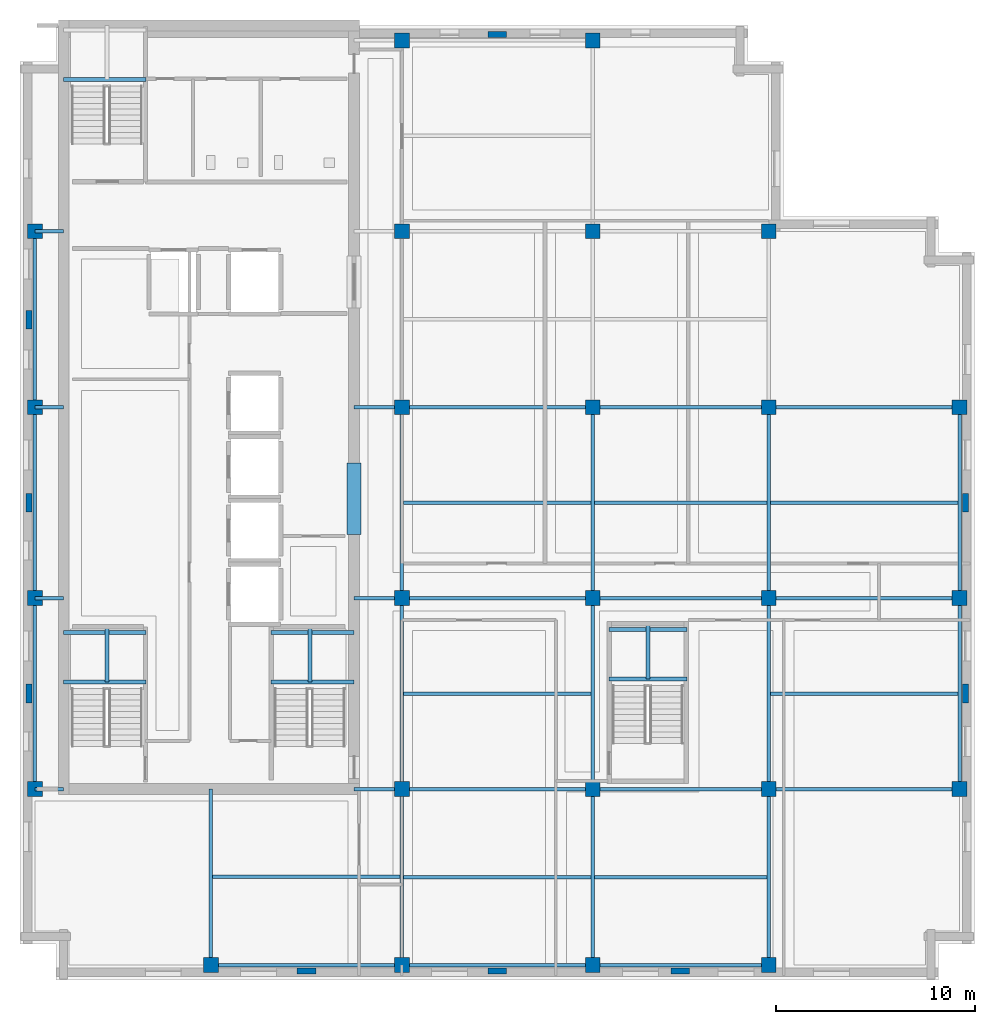
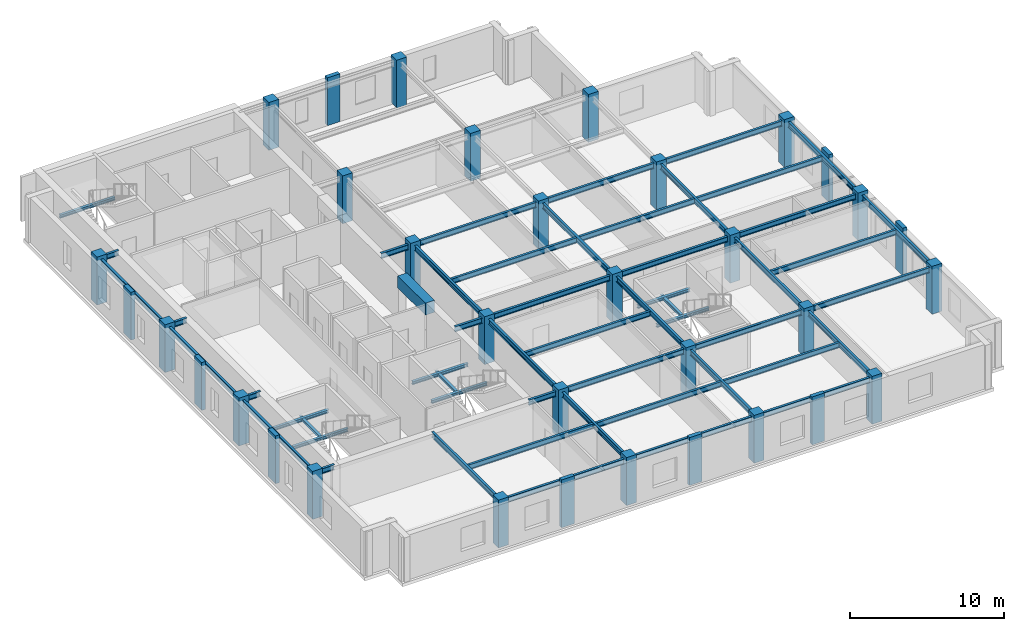
# One storey, part 1 of 10: 53 beams, 34 columns.
"""IFC4 building model written with IfcOpenShell, lengths in metres."""

from ifc_helpers import new_model, si_unit, direction, frame, origin, origin_2d, place, context, subcontext, project, spatial, rectangle, i_section, extrude, material, material_profile, profile_set, type_object, element, save


model = new_model("IFC4")

# Units and contexts
model_context = context("Model", 3, precision=1e-05, world=origin(), true_north=direction((0.0, 1.0)))
body_context = subcontext(model_context, "Body", "Model", "MODEL_VIEW")
ifc_project = project(units=[si_unit("LENGTHUNIT", "METRE"), si_unit("AREAUNIT", "SQUARE_METRE"), si_unit("VOLUMEUNIT", "CUBIC_METRE"), si_unit("PLANEANGLEUNIT", "RADIAN"), si_unit("MASSUNIT", "GRAM", prefix="KILO")], contexts=[model_context])

# Site, building, storey
site_placement = place(None, origin())
site = spatial("IfcSite", under=ifc_project, at=site_placement, CompositionType="ELEMENT")
building_placement = place(site_placement, origin())
building = spatial("IfcBuilding", under=site, at=building_placement, Name="Norrvale University Quadrangle", CompositionType="ELEMENT")
storey_placement = place(building_placement, frame((0.0, 0.0, 269.60009765625)))
storey = spatial("IfcBuildingStorey", under=building, at=storey_placement, Name="L68", CompositionType="ELEMENT", Elevation=269.60009765625)

# Columns
ifc_material_1 = material(Name="Red Manganese Brick Concrete C60/75", Category="concrete")
ifc_material_profile_1 = material_profile(ifc_material_1, rectangle(XDim=0.949951171875, YDim=0.300048828125, at=origin_2d()), Name="Red Manganese Brick Concrete C60/75")
ifc_profile_set_1 = profile_set([ifc_material_profile_1], Name="Red Manganese Brick Concrete C60/75")
column_type_1 = type_object("IfcColumnType", Name="Column Brick Pier 950x300", PredefinedType="PILASTER", material=ifc_profile_set_1)
for number, where, z_axis, x_axis, name in (
    (1, (0.449951171875, 14.39990234375, 0.0), (0.0, 0.0, 1.0), (0.0, 1.0, 0.0), "Exterior Brick Facade Pilaster L68-01"),
    (2, (0.449951171875, 24.0, 0.0), (0.0, 0.0, 1.0), (0.0, 1.0, 0.0), "Exterior Brick Facade Pilaster L68-02"),
    (3, (0.449951171875, 33.199951171875, 0.0), (0.0, 0.0, 1.0), (0.0, 1.0, 0.0), "Exterior Brick Facade Pilaster L68-03"),
    (4, (14.39990234375, 0.449951171875, 0.0), (0.0, 0.0, 1.0), (1.0, 0.0, 0.0), "Exterior Brick Facade Pilaster L68-04"),
    (5, (24.0, 0.449951171875, 0.0), (0.0, 0.0, 1.0), (1.0, 0.0, 0.0), "Exterior Brick Facade Pilaster L68-05"),
    (6, (33.199951171875, 0.449951171875, 0.0), (0.0, 0.0, 1.0), (1.0, 0.0, 0.0), "Exterior Brick Facade Pilaster L68-06"),
    (7, (47.550048828125, 14.39990234375, 0.0), (0.0, 0.0, 1.0), (0.0, 1.0, 0.0), "Exterior Brick Facade Pilaster L68-07"),
    (8, (47.550048828125, 24.0, 0.0), (0.0, 0.0, 1.0), (0.0, 1.0, 0.0), "Exterior Brick Facade Pilaster L68-08"),
    (9, (24.0, 47.550048828125, 0.0), (0.0, 0.0, 1.0), (1.0, 0.0, 0.0), "Exterior Brick Facade Pilaster L68-09"),
):
    element("IfcColumn", number, at=place(storey_placement, frame(where, z_axis=z_axis, x_axis=x_axis)), inside=storey, type_object=column_type_1, Name=name, PredefinedType="PILASTER", context=body_context, shape_type="SweptSolid", body=[
        extrude(rectangle(XDim=0.949951171875, YDim=0.300048828125, at=origin_2d()), origin(), (0.0, 0.0, 1.0), 3.7998046875),
    ])
ifc_material_2 = material(Name="Concrete C60/75", Category="concrete")
ifc_material_profile_2 = material_profile(ifc_material_2, rectangle(XDim=0.75, YDim=0.75, at=origin_2d()), Name="Concrete C60/75")
ifc_profile_set_2 = profile_set([ifc_material_profile_2], Name="Concrete C60/75")
column_type_2 = type_object("IfcColumnType", Name="Column Tower Z4 750x750", PredefinedType="COLUMN", material=ifc_profile_set_2)
for number, where, z_axis, x_axis, name in (
    (10, (0.75, 9.60009765625, 0.0), (0.0, 0.0, 1.0), (1.0, 0.0, 0.0), "Tower Column L68-T01"),
    (11, (0.75, 19.199951171875, 0.0), (0.0, 0.0, 1.0), (1.0, 0.0, 0.0), "Tower Column L68-T02"),
    (12, (0.75, 28.800048828125, 0.0), (0.0, 0.0, 1.0), (1.0, 0.0, 0.0), "Tower Column L68-T03"),
    (13, (0.75, 37.64990234375, 0.0), (0.0, 0.0, 1.0), (1.0, 0.0, 0.0), "Tower Column L68-T04"),
    (14, (9.60009765625, 0.75, 0.0), (0.0, 0.0, 1.0), (1.0, 0.0, 0.0), "Tower Column L68-T05"),
    (15, (19.199951171875, 0.75, 0.0), (0.0, 0.0, 1.0), (1.0, 0.0, 0.0), "Tower Column L68-T06"),
    (16, (19.199951171875, 9.60009765625, 0.0), (0.0, 0.0, 1.0), (1.0, 0.0, 0.0), "Tower Column L68-T07"),
    (17, (19.199951171875, 19.199951171875, 0.0), (0.0, 0.0, 1.0), (1.0, 0.0, 0.0), "Tower Column L68-T08"),
    (18, (19.199951171875, 28.800048828125, 0.0), (0.0, 0.0, 1.0), (1.0, 0.0, 0.0), "Tower Column L68-T09"),
    (19, (19.199951171875, 37.64990234375, 0.0), (0.0, 0.0, 1.0), (1.0, 0.0, 0.0), "Tower Column L68-T10"),
    (20, (19.199951171875, 47.25, 0.0), (0.0, 0.0, 1.0), (1.0, 0.0, 0.0), "Tower Column L68-T11"),
    (21, (28.800048828125, 0.75, 0.0), (0.0, 0.0, 1.0), (1.0, 0.0, 0.0), "Tower Column L68-T12"),
    (22, (28.800048828125, 9.60009765625, 0.0), (0.0, 0.0, 1.0), (1.0, 0.0, 0.0), "Tower Column L68-T13"),
    (23, (28.800048828125, 19.199951171875, 0.0), (0.0, 0.0, 1.0), (1.0, 0.0, 0.0), "Tower Column L68-T14"),
    (24, (28.800048828125, 28.800048828125, 0.0), (0.0, 0.0, 1.0), (1.0, 0.0, 0.0), "Tower Column L68-T15"),
    (25, (28.800048828125, 37.64990234375, 0.0), (0.0, 0.0, 1.0), (1.0, 0.0, 0.0), "Tower Column L68-T16"),
    (26, (28.800048828125, 47.25, 0.0), (0.0, 0.0, 1.0), (1.0, 0.0, 0.0), "Tower Column L68-T17"),
    (27, (37.64990234375, 0.75, 0.0), (0.0, 0.0, 1.0), (1.0, 0.0, 0.0), "Tower Column L68-T18"),
    (28, (37.64990234375, 9.60009765625, 0.0), (0.0, 0.0, 1.0), (1.0, 0.0, 0.0), "Tower Column L68-T19"),
    (29, (37.64990234375, 19.199951171875, 0.0), (0.0, 0.0, 1.0), (1.0, 0.0, 0.0), "Tower Column L68-T20"),
    (30, (37.64990234375, 28.800048828125, 0.0), (0.0, 0.0, 1.0), (1.0, 0.0, 0.0), "Tower Column L68-T21"),
    (31, (37.64990234375, 37.64990234375, 0.0), (0.0, 0.0, 1.0), (1.0, 0.0, 0.0), "Tower Column L68-T22"),
    (32, (47.25, 9.60009765625, 0.0), (0.0, 0.0, 1.0), (1.0, 0.0, 0.0), "Tower Column L68-T23"),
    (33, (47.25, 19.199951171875, 0.0), (0.0, 0.0, 1.0), (1.0, 0.0, 0.0), "Tower Column L68-T24"),
    (34, (47.25, 28.800048828125, 0.0), (0.0, 0.0, 1.0), (1.0, 0.0, 0.0), "Tower Column L68-T25"),
):
    element("IfcColumn", number, at=place(storey_placement, frame(where, z_axis=z_axis, x_axis=x_axis)), inside=storey, type_object=column_type_2, Name=name, PredefinedType="COLUMN", context=body_context, shape_type="SweptSolid", body=[
        extrude(rectangle(XDim=0.75, YDim=0.75, at=origin_2d()), origin(), (0.0, 0.0, 1.0), 3.7998046875),
    ])

# Beams
ifc_material_3 = material(Name="Steel 350W", Category="steel")
ifc_material_profile_3 = material_profile(ifc_material_3, i_section(OverallWidth=0.180908203125, OverallDepth=0.4169921875, WebThickness=0.010986328125, FlangeThickness=0.018310546875, FilletRadius=0.011962890625, at=origin_2d()), Name="Steel 350W")
ifc_profile_set_3 = profile_set([ifc_material_profile_3], Name="Steel 350W")
beam_type_1 = type_object("IfcBeamType", Name="Beam Atrium W410x85", PredefinedType="BEAM", material=ifc_profile_set_3)
beam_1_placement = place(storey_placement, frame((9.60009765625, 0.75, 3.331298828125), z_axis=(1.0, 0.0, 0.0), x_axis=(0.0, 1.0, 0.0)))
element("IfcBeam", 35, at=beam_1_placement, inside=storey, type_object=beam_type_1, Name="Beam Atrium W410x85 BM-L68-GX001", PredefinedType="BEAM", context=body_context, shape_type="SweptSolid", body=[
    extrude(i_section(OverallWidth=0.180908203125, OverallDepth=0.4169921875, WebThickness=0.010986328125, FlangeThickness=0.018310546875, FilletRadius=0.011962890625, at=origin_2d()), origin(), (0.0, 0.0, 1.0), 9.599853515625),
])
beam_2_placement = place(storey_placement, frame((19.199951171875, 0.75, 3.331298828125), z_axis=(1.0, 0.0, 0.0), x_axis=(0.0, 1.0, 0.0)))
element("IfcBeam", 36, at=beam_2_placement, inside=storey, type_object=beam_type_1, Name="Beam Atrium W410x85 BM-L68-GX002", PredefinedType="BEAM", context=body_context, shape_type="SweptSolid", body=[
    extrude(i_section(OverallWidth=0.180908203125, OverallDepth=0.4169921875, WebThickness=0.010986328125, FlangeThickness=0.018310546875, FilletRadius=0.011962890625, at=origin_2d()), origin(), (0.0, 0.0, 1.0), 9.60009765625),
])
beam_3_placement = place(storey_placement, frame((28.800048828125, 0.75, 3.331298828125), z_axis=(1.0, 0.0, 0.0), x_axis=(0.0, 1.0, 0.0)))
element("IfcBeam", 37, at=beam_3_placement, inside=storey, type_object=beam_type_1, Name="Beam Atrium W410x85 BM-L68-GX003", PredefinedType="BEAM", context=body_context, shape_type="SweptSolid", body=[
    extrude(i_section(OverallWidth=0.180908203125, OverallDepth=0.4169921875, WebThickness=0.010986328125, FlangeThickness=0.018310546875, FilletRadius=0.011962890625, at=origin_2d()), origin(), (0.0, 0.0, 1.0), 8.849853515625),
])
beam_4_placement = place(storey_placement, frame((19.199951171875, 9.60009765625, 3.331298828125), z_axis=(1.0, 0.0, 0.0), x_axis=(0.0, 1.0, 0.0)))
element("IfcBeam", 38, at=beam_4_placement, inside=storey, type_object=beam_type_1, Name="Beam Atrium W410x85 BM-L68-GX004", PredefinedType="BEAM", context=body_context, shape_type="SweptSolid", body=[
    extrude(i_section(OverallWidth=0.180908203125, OverallDepth=0.4169921875, WebThickness=0.010986328125, FlangeThickness=0.018310546875, FilletRadius=0.011962890625, at=origin_2d()), origin(), (0.0, 0.0, 1.0), 9.60009765625),
])
beam_5_placement = place(storey_placement, frame((28.800048828125, 9.60009765625, 3.331298828125), z_axis=(1.0, 0.0, 0.0), x_axis=(0.0, 1.0, 0.0)))
element("IfcBeam", 39, at=beam_5_placement, inside=storey, type_object=beam_type_1, Name="Beam Atrium W410x85 BM-L68-GX005", PredefinedType="BEAM", context=body_context, shape_type="SweptSolid", body=[
    extrude(i_section(OverallWidth=0.180908203125, OverallDepth=0.4169921875, WebThickness=0.010986328125, FlangeThickness=0.018310546875, FilletRadius=0.011962890625, at=origin_2d()), origin(), (0.0, 0.0, 1.0), 8.849853515625),
])
for number, where, z_axis, x_axis, name in (
    (40, (37.64990234375, 9.60009765625, 3.331298828125), (1.0, 0.0, 0.0), (0.0, 1.0, 0.0), "Beam Atrium W410x85 BM-L68-GX006"),
    (41, (19.199951171875, 19.199951171875, 3.331298828125), (1.0, 0.0, 0.0), (0.0, 1.0, 0.0), "Beam Atrium W410x85 BM-L68-GX007"),
):
    element("IfcBeam", number, at=place(storey_placement, frame(where, z_axis=z_axis, x_axis=x_axis)), inside=storey, type_object=beam_type_1, Name=name, PredefinedType="BEAM", context=body_context, shape_type="SweptSolid", body=[
        extrude(i_section(OverallWidth=0.180908203125, OverallDepth=0.4169921875, WebThickness=0.010986328125, FlangeThickness=0.018310546875, FilletRadius=0.011962890625, at=origin_2d()), origin(), (0.0, 0.0, 1.0), 9.60009765625),
    ])
beam_6_placement = place(storey_placement, frame((28.800048828125, 19.199951171875, 3.331298828125), z_axis=(1.0, 0.0, 0.0), x_axis=(0.0, 1.0, 0.0)))
element("IfcBeam", 42, at=beam_6_placement, inside=storey, type_object=beam_type_1, Name="Beam Atrium W410x85 BM-L68-GX008", PredefinedType="BEAM", context=body_context, shape_type="SweptSolid", body=[
    extrude(i_section(OverallWidth=0.180908203125, OverallDepth=0.4169921875, WebThickness=0.010986328125, FlangeThickness=0.018310546875, FilletRadius=0.011962890625, at=origin_2d()), origin(), (0.0, 0.0, 1.0), 8.849853515625),
])
for number, where, z_axis, x_axis, name in (
    (43, (37.64990234375, 19.199951171875, 3.331298828125), (1.0, 0.0, 0.0), (0.0, 1.0, 0.0), "Beam Atrium W410x85 BM-L68-GX009"),
    (44, (19.199951171875, 28.800048828125, 3.331298828125), (1.0, 0.0, 0.0), (0.0, 1.0, 0.0), "Beam Atrium W410x85 BM-L68-GX010"),
):
    element("IfcBeam", number, at=place(storey_placement, frame(where, z_axis=z_axis, x_axis=x_axis)), inside=storey, type_object=beam_type_1, Name=name, PredefinedType="BEAM", context=body_context, shape_type="SweptSolid", body=[
        extrude(i_section(OverallWidth=0.180908203125, OverallDepth=0.4169921875, WebThickness=0.010986328125, FlangeThickness=0.018310546875, FilletRadius=0.011962890625, at=origin_2d()), origin(), (0.0, 0.0, 1.0), 9.60009765625),
    ])
beam_7_placement = place(storey_placement, frame((28.800048828125, 28.800048828125, 3.331298828125), z_axis=(1.0, 0.0, 0.0), x_axis=(0.0, 1.0, 0.0)))
element("IfcBeam", 45, at=beam_7_placement, inside=storey, type_object=beam_type_1, Name="Beam Atrium W410x85 BM-L68-GX011", PredefinedType="BEAM", context=body_context, shape_type="SweptSolid", body=[
    extrude(i_section(OverallWidth=0.180908203125, OverallDepth=0.4169921875, WebThickness=0.010986328125, FlangeThickness=0.018310546875, FilletRadius=0.011962890625, at=origin_2d()), origin(), (0.0, 0.0, 1.0), 8.849853515625),
])
beam_8_placement = place(storey_placement, frame((37.64990234375, 28.800048828125, 3.331298828125), z_axis=(1.0, 0.0, 0.0), x_axis=(0.0, 1.0, 0.0)))
element("IfcBeam", 46, at=beam_8_placement, inside=storey, type_object=beam_type_1, Name="Beam Atrium W410x85 BM-L68-GX012", PredefinedType="BEAM", context=body_context, shape_type="SweptSolid", body=[
    extrude(i_section(OverallWidth=0.180908203125, OverallDepth=0.4169921875, WebThickness=0.010986328125, FlangeThickness=0.018310546875, FilletRadius=0.011962890625, at=origin_2d()), origin(), (0.0, 0.0, 1.0), 9.60009765625),
])
beam_9_placement = place(storey_placement, frame((0.75, 9.60009765625, 3.331298828125), z_axis=(0.0, 1.0, 0.0), x_axis=(-1.0, 0.0, 0.0)))
element("IfcBeam", 47, at=beam_9_placement, inside=storey, type_object=beam_type_1, Name="Beam Atrium W410x85 BM-L68-GY016", PredefinedType="BEAM", context=body_context, shape_type="SweptSolid", body=[
    extrude(i_section(OverallWidth=0.180908203125, OverallDepth=0.4169921875, WebThickness=0.010986328125, FlangeThickness=0.018310546875, FilletRadius=0.011962890625, at=origin_2d()), origin(), (0.0, 0.0, 1.0), 9.599853515625),
])
beam_10_placement = place(storey_placement, frame((0.75, 19.199951171875, 3.331298828125), z_axis=(0.0, 1.0, 0.0), x_axis=(-1.0, 0.0, 0.0)))
element("IfcBeam", 48, at=beam_10_placement, inside=storey, type_object=beam_type_1, Name="Beam Atrium W410x85 BM-L68-GY017", PredefinedType="BEAM", context=body_context, shape_type="SweptSolid", body=[
    extrude(i_section(OverallWidth=0.180908203125, OverallDepth=0.4169921875, WebThickness=0.010986328125, FlangeThickness=0.018310546875, FilletRadius=0.011962890625, at=origin_2d()), origin(), (0.0, 0.0, 1.0), 9.60009765625),
])
beam_11_placement = place(storey_placement, frame((0.75, 28.800048828125, 3.331298828125), z_axis=(0.0, 1.0, 0.0), x_axis=(-1.0, 0.0, 0.0)))
element("IfcBeam", 49, at=beam_11_placement, inside=storey, type_object=beam_type_1, Name="Beam Atrium W410x85 BM-L68-GY018", PredefinedType="BEAM", context=body_context, shape_type="SweptSolid", body=[
    extrude(i_section(OverallWidth=0.180908203125, OverallDepth=0.4169921875, WebThickness=0.010986328125, FlangeThickness=0.018310546875, FilletRadius=0.011962890625, at=origin_2d()), origin(), (0.0, 0.0, 1.0), 8.849853515625),
])
beam_12_placement = place(storey_placement, frame((19.199951171875, 0.75, 3.331298828125), z_axis=(0.0, 1.0, 0.0), x_axis=(-1.0, 0.0, 0.0)))
element("IfcBeam", 50, at=beam_12_placement, inside=storey, type_object=beam_type_1, Name="Beam Atrium W410x85 BM-L68-GY019", PredefinedType="BEAM", context=body_context, shape_type="SweptSolid", body=[
    extrude(i_section(OverallWidth=0.180908203125, OverallDepth=0.4169921875, WebThickness=0.010986328125, FlangeThickness=0.018310546875, FilletRadius=0.011962890625, at=origin_2d()), origin(), (0.0, 0.0, 1.0), 8.85009765625),
])
beam_13_placement = place(storey_placement, frame((19.199951171875, 9.60009765625, 3.331298828125), z_axis=(0.0, 1.0, 0.0), x_axis=(-1.0, 0.0, 0.0)))
element("IfcBeam", 51, at=beam_13_placement, inside=storey, type_object=beam_type_1, Name="Beam Atrium W410x85 BM-L68-GY020", PredefinedType="BEAM", context=body_context, shape_type="SweptSolid", body=[
    extrude(i_section(OverallWidth=0.180908203125, OverallDepth=0.4169921875, WebThickness=0.010986328125, FlangeThickness=0.018310546875, FilletRadius=0.011962890625, at=origin_2d()), origin(), (0.0, 0.0, 1.0), 9.599853515625),
])
beam_14_placement = place(storey_placement, frame((19.199951171875, 19.199951171875, 3.331298828125), z_axis=(0.0, 1.0, 0.0), x_axis=(-1.0, 0.0, 0.0)))
element("IfcBeam", 52, at=beam_14_placement, inside=storey, type_object=beam_type_1, Name="Beam Atrium W410x85 BM-L68-GY021", PredefinedType="BEAM", context=body_context, shape_type="SweptSolid", body=[
    extrude(i_section(OverallWidth=0.180908203125, OverallDepth=0.4169921875, WebThickness=0.010986328125, FlangeThickness=0.018310546875, FilletRadius=0.011962890625, at=origin_2d()), origin(), (0.0, 0.0, 1.0), 9.60009765625),
])
beam_15_placement = place(storey_placement, frame((28.800048828125, 0.75, 3.331298828125), z_axis=(0.0, 1.0, 0.0), x_axis=(-1.0, 0.0, 0.0)))
element("IfcBeam", 53, at=beam_15_placement, inside=storey, type_object=beam_type_1, Name="Beam Atrium W410x85 BM-L68-GY024", PredefinedType="BEAM", context=body_context, shape_type="SweptSolid", body=[
    extrude(i_section(OverallWidth=0.180908203125, OverallDepth=0.4169921875, WebThickness=0.010986328125, FlangeThickness=0.018310546875, FilletRadius=0.011962890625, at=origin_2d()), origin(), (0.0, 0.0, 1.0), 8.85009765625),
])
beam_16_placement = place(storey_placement, frame((28.800048828125, 9.60009765625, 3.331298828125), z_axis=(0.0, 1.0, 0.0), x_axis=(-1.0, 0.0, 0.0)))
element("IfcBeam", 54, at=beam_16_placement, inside=storey, type_object=beam_type_1, Name="Beam Atrium W410x85 BM-L68-GY025", PredefinedType="BEAM", context=body_context, shape_type="SweptSolid", body=[
    extrude(i_section(OverallWidth=0.180908203125, OverallDepth=0.4169921875, WebThickness=0.010986328125, FlangeThickness=0.018310546875, FilletRadius=0.011962890625, at=origin_2d()), origin(), (0.0, 0.0, 1.0), 9.599853515625),
])
beam_17_placement = place(storey_placement, frame((28.800048828125, 19.199951171875, 3.331298828125), z_axis=(0.0, 1.0, 0.0), x_axis=(-1.0, 0.0, 0.0)))
element("IfcBeam", 55, at=beam_17_placement, inside=storey, type_object=beam_type_1, Name="Beam Atrium W410x85 BM-L68-GY026", PredefinedType="BEAM", context=body_context, shape_type="SweptSolid", body=[
    extrude(i_section(OverallWidth=0.180908203125, OverallDepth=0.4169921875, WebThickness=0.010986328125, FlangeThickness=0.018310546875, FilletRadius=0.011962890625, at=origin_2d()), origin(), (0.0, 0.0, 1.0), 9.60009765625),
])
beam_18_placement = place(storey_placement, frame((37.64990234375, 0.75, 3.331298828125), z_axis=(0.0, 1.0, 0.0), x_axis=(-1.0, 0.0, 0.0)))
element("IfcBeam", 56, at=beam_18_placement, inside=storey, type_object=beam_type_1, Name="Beam Atrium W410x85 BM-L68-GY029", PredefinedType="BEAM", context=body_context, shape_type="SweptSolid", body=[
    extrude(i_section(OverallWidth=0.180908203125, OverallDepth=0.4169921875, WebThickness=0.010986328125, FlangeThickness=0.018310546875, FilletRadius=0.011962890625, at=origin_2d()), origin(), (0.0, 0.0, 1.0), 8.85009765625),
])
beam_19_placement = place(storey_placement, frame((37.64990234375, 9.60009765625, 3.331298828125), z_axis=(0.0, 1.0, 0.0), x_axis=(-1.0, 0.0, 0.0)))
element("IfcBeam", 57, at=beam_19_placement, inside=storey, type_object=beam_type_1, Name="Beam Atrium W410x85 BM-L68-GY030", PredefinedType="BEAM", context=body_context, shape_type="SweptSolid", body=[
    extrude(i_section(OverallWidth=0.180908203125, OverallDepth=0.4169921875, WebThickness=0.010986328125, FlangeThickness=0.018310546875, FilletRadius=0.011962890625, at=origin_2d()), origin(), (0.0, 0.0, 1.0), 9.599853515625),
])
beam_20_placement = place(storey_placement, frame((37.64990234375, 19.199951171875, 3.331298828125), z_axis=(0.0, 1.0, 0.0), x_axis=(-1.0, 0.0, 0.0)))
element("IfcBeam", 58, at=beam_20_placement, inside=storey, type_object=beam_type_1, Name="Beam Atrium W410x85 BM-L68-GY031", PredefinedType="BEAM", context=body_context, shape_type="SweptSolid", body=[
    extrude(i_section(OverallWidth=0.180908203125, OverallDepth=0.4169921875, WebThickness=0.010986328125, FlangeThickness=0.018310546875, FilletRadius=0.011962890625, at=origin_2d()), origin(), (0.0, 0.0, 1.0), 9.60009765625),
])
beam_21_placement = place(storey_placement, frame((47.25, 9.60009765625, 3.331298828125), z_axis=(0.0, 1.0, 0.0), x_axis=(-1.0, 0.0, 0.0)))
element("IfcBeam", 59, at=beam_21_placement, inside=storey, type_object=beam_type_1, Name="Beam Atrium W410x85 BM-L68-GY033", PredefinedType="BEAM", context=body_context, shape_type="SweptSolid", body=[
    extrude(i_section(OverallWidth=0.180908203125, OverallDepth=0.4169921875, WebThickness=0.010986328125, FlangeThickness=0.018310546875, FilletRadius=0.011962890625, at=origin_2d()), origin(), (0.0, 0.0, 1.0), 9.599853515625),
])
beam_22_placement = place(storey_placement, frame((47.25, 19.199951171875, 3.331298828125), z_axis=(0.0, 1.0, 0.0), x_axis=(-1.0, 0.0, 0.0)))
element("IfcBeam", 60, at=beam_22_placement, inside=storey, type_object=beam_type_1, Name="Beam Atrium W410x85 BM-L68-GY034", PredefinedType="BEAM", context=body_context, shape_type="SweptSolid", body=[
    extrude(i_section(OverallWidth=0.180908203125, OverallDepth=0.4169921875, WebThickness=0.010986328125, FlangeThickness=0.018310546875, FilletRadius=0.011962890625, at=origin_2d()), origin(), (0.0, 0.0, 1.0), 9.60009765625),
])
beam_23_placement = place(storey_placement, frame((0.75, 9.60009765625, 3.331298828125), z_axis=(1.0, 0.0, 0.0), x_axis=(0.0, 1.0, 0.0)))
element("IfcBeam", 61, at=beam_23_placement, inside=storey, type_object=beam_type_1, Name="Beam Atrium W410x85 BM-L68-GCW035", PredefinedType="BEAM", context=body_context, shape_type="SweptSolid", body=[
    extrude(i_section(OverallWidth=0.180908203125, OverallDepth=0.4169921875, WebThickness=0.010986328125, FlangeThickness=0.018310546875, FilletRadius=0.011962890625, at=origin_2d()), origin(), (0.0, 0.0, 1.0), 1.449951171875),
])
beam_24_placement = place(storey_placement, frame((16.800048828125, 9.60009765625, 3.331298828125), z_axis=(1.0, 0.0, 0.0), x_axis=(0.0, 1.0, 0.0)))
element("IfcBeam", 62, at=beam_24_placement, inside=storey, type_object=beam_type_1, Name="Beam Atrium W410x85 BM-L68-GCE036", PredefinedType="BEAM", context=body_context, shape_type="SweptSolid", body=[
    extrude(i_section(OverallWidth=0.180908203125, OverallDepth=0.4169921875, WebThickness=0.010986328125, FlangeThickness=0.018310546875, FilletRadius=0.011962890625, at=origin_2d()), origin(), (0.0, 0.0, 1.0), 2.39990234375),
])
beam_25_placement = place(storey_placement, frame((0.75, 19.199951171875, 3.331298828125), z_axis=(1.0, 0.0, 0.0), x_axis=(0.0, 1.0, 0.0)))
element("IfcBeam", 63, at=beam_25_placement, inside=storey, type_object=beam_type_1, Name="Beam Atrium W410x85 BM-L68-GCW037", PredefinedType="BEAM", context=body_context, shape_type="SweptSolid", body=[
    extrude(i_section(OverallWidth=0.180908203125, OverallDepth=0.4169921875, WebThickness=0.010986328125, FlangeThickness=0.018310546875, FilletRadius=0.011962890625, at=origin_2d()), origin(), (0.0, 0.0, 1.0), 1.449951171875),
])
beam_26_placement = place(storey_placement, frame((16.800048828125, 19.199951171875, 3.331298828125), z_axis=(1.0, 0.0, 0.0), x_axis=(0.0, 1.0, 0.0)))
element("IfcBeam", 64, at=beam_26_placement, inside=storey, type_object=beam_type_1, Name="Beam Atrium W410x85 BM-L68-GCE038", PredefinedType="BEAM", context=body_context, shape_type="SweptSolid", body=[
    extrude(i_section(OverallWidth=0.180908203125, OverallDepth=0.4169921875, WebThickness=0.010986328125, FlangeThickness=0.018310546875, FilletRadius=0.011962890625, at=origin_2d()), origin(), (0.0, 0.0, 1.0), 2.39990234375),
])
beam_27_placement = place(storey_placement, frame((0.75, 28.800048828125, 3.331298828125), z_axis=(1.0, 0.0, 0.0), x_axis=(0.0, 1.0, 0.0)))
element("IfcBeam", 65, at=beam_27_placement, inside=storey, type_object=beam_type_1, Name="Beam Atrium W410x85 BM-L68-GCW039", PredefinedType="BEAM", context=body_context, shape_type="SweptSolid", body=[
    extrude(i_section(OverallWidth=0.180908203125, OverallDepth=0.4169921875, WebThickness=0.010986328125, FlangeThickness=0.018310546875, FilletRadius=0.011962890625, at=origin_2d()), origin(), (0.0, 0.0, 1.0), 1.449951171875),
])
beam_28_placement = place(storey_placement, frame((16.800048828125, 28.800048828125, 3.331298828125), z_axis=(1.0, 0.0, 0.0), x_axis=(0.0, 1.0, 0.0)))
element("IfcBeam", 66, at=beam_28_placement, inside=storey, type_object=beam_type_1, Name="Beam Atrium W410x85 BM-L68-GCE040", PredefinedType="BEAM", context=body_context, shape_type="SweptSolid", body=[
    extrude(i_section(OverallWidth=0.180908203125, OverallDepth=0.4169921875, WebThickness=0.010986328125, FlangeThickness=0.018310546875, FilletRadius=0.011962890625, at=origin_2d()), origin(), (0.0, 0.0, 1.0), 2.39990234375),
])
beam_29_placement = place(storey_placement, frame((0.75, 37.64990234375, 3.331298828125), z_axis=(1.0, 0.0, 0.0), x_axis=(0.0, 1.0, 0.0)))
element("IfcBeam", 67, at=beam_29_placement, inside=storey, type_object=beam_type_1, Name="Beam Atrium W410x85 BM-L68-GCW041", PredefinedType="BEAM", context=body_context, shape_type="SweptSolid", body=[
    extrude(i_section(OverallWidth=0.180908203125, OverallDepth=0.4169921875, WebThickness=0.010986328125, FlangeThickness=0.018310546875, FilletRadius=0.011962890625, at=origin_2d()), origin(), (0.0, 0.0, 1.0), 1.449951171875),
])
beam_30_placement = place(storey_placement, frame((9.60009765625, 0.75, 3.331298828125), z_axis=(0.0, 1.0, 0.0), x_axis=(-1.0, 0.0, 0.0)))
element("IfcBeam", 68, at=beam_30_placement, inside=storey, type_object=beam_type_1, Name="Beam Atrium W410x85 BM-L68-GCS054", PredefinedType="BEAM", context=body_context, shape_type="SweptSolid", body=[
    extrude(i_section(OverallWidth=0.180908203125, OverallDepth=0.4169921875, WebThickness=0.010986328125, FlangeThickness=0.018310546875, FilletRadius=0.011962890625, at=origin_2d()), origin(), (0.0, 0.0, 1.0), 8.85009765625),
])
ifc_material_4 = material(Name="Concrete C80/95", Category="concrete")
ifc_material_profile_4 = material_profile(ifc_material_4, rectangle(XDim=0.699951171875, YDim=0.949951171875, at=origin_2d()), Name="Concrete C80/95")
ifc_profile_set_4 = profile_set([ifc_material_profile_4], Name="Concrete C80/95")
beam_type_2 = type_object("IfcBeamType", Name="Beam Core Link 700x950", PredefinedType="LINTEL", material=ifc_profile_set_4)
beam_31_placement = place(storey_placement, frame((16.800048828125, 22.39990234375, 3.06494140625), z_axis=(0.0, 1.0, 0.0), x_axis=(-1.0, 0.0, 0.0)))
element("IfcBeam", 69, at=beam_31_placement, inside=storey, type_object=beam_type_2, Name="Core Coupling Lintel Beam L68-1", PredefinedType="LINTEL", context=body_context, shape_type="SweptSolid", body=[
    extrude(rectangle(XDim=0.699951171875, YDim=0.949951171875, at=origin_2d()), origin(), (0.0, 0.0, 1.0), 3.60009765625),
])
ifc_material_profile_5 = material_profile(ifc_material_3, i_section(OverallWidth=0.177978515625, OverallDepth=0.406982421875, WebThickness=0.0078125, FlangeThickness=0.0126953125, FilletRadius=0.011962890625, at=origin_2d()), Name="Steel 350W")
ifc_profile_set_5 = profile_set([ifc_material_profile_5], Name="Steel 350W")
beam_type_3 = type_object("IfcBeamType", Name="Beam Roof Purlin W410x60", PredefinedType="USERDEFINED", material=ifc_profile_set_5)
for number, where, z_axis, x_axis, name in (
    (70, (19.29052734375, 5.175048828125, 3.33642578125), (1.0, 0.0, 0.0), (0.0, 1.0, 0.0), "Beam Roof Purlin W410x60 BM-L68-J044"),
    (71, (19.29052734375, 14.39990234375, 3.33642578125), (1.0, 0.0, 0.0), (0.0, 1.0, 0.0), "Beam Roof Purlin W410x60 BM-L68-J045"),
    (72, (19.29052734375, 24.0, 3.33642578125), (1.0, 0.0, 0.0), (0.0, 1.0, 0.0), "Beam Roof Purlin W410x60 BM-L68-J046"),
):
    element("IfcBeam", number, at=place(storey_placement, frame(where, z_axis=z_axis, x_axis=x_axis)), inside=storey, type_object=beam_type_3, Name=name, ObjectType="PURLIN", PredefinedType="USERDEFINED", context=body_context, shape_type="SweptSolid", body=[
        extrude(i_section(OverallWidth=0.177978515625, OverallDepth=0.406982421875, WebThickness=0.0078125, FlangeThickness=0.0126953125, FilletRadius=0.011962890625, at=origin_2d()), origin(), (0.0, 0.0, 1.0), 9.4189453125),
    ])
for number, where, z_axis, x_axis, name in (
    (73, (28.890380859375, 5.175048828125, 3.33642578125), (1.0, 0.0, 0.0), (0.0, 1.0, 0.0), "Beam Roof Purlin W410x60 BM-L68-J049"),
    (74, (28.890380859375, 24.0, 3.33642578125), (1.0, 0.0, 0.0), (0.0, 1.0, 0.0), "Beam Roof Purlin W410x60 BM-L68-J050"),
):
    element("IfcBeam", number, at=place(storey_placement, frame(where, z_axis=z_axis, x_axis=x_axis)), inside=storey, type_object=beam_type_3, Name=name, ObjectType="PURLIN", PredefinedType="USERDEFINED", context=body_context, shape_type="SweptSolid", body=[
        extrude(i_section(OverallWidth=0.177978515625, OverallDepth=0.406982421875, WebThickness=0.0078125, FlangeThickness=0.0126953125, FilletRadius=0.011962890625, at=origin_2d()), origin(), (0.0, 0.0, 1.0), 8.669189453125),
    ])
for number, where, z_axis, x_axis, name in (
    (75, (37.740478515625, 14.39990234375, 3.33642578125), (1.0, 0.0, 0.0), (0.0, 1.0, 0.0), "Beam Roof Purlin W410x60 BM-L68-J052"),
    (76, (37.740478515625, 24.0, 3.33642578125), (1.0, 0.0, 0.0), (0.0, 1.0, 0.0), "Beam Roof Purlin W410x60 BM-L68-J053"),
):
    element("IfcBeam", number, at=place(storey_placement, frame(where, z_axis=z_axis, x_axis=x_axis)), inside=storey, type_object=beam_type_3, Name=name, ObjectType="PURLIN", PredefinedType="USERDEFINED", context=body_context, shape_type="SweptSolid", body=[
        extrude(i_section(OverallWidth=0.177978515625, OverallDepth=0.406982421875, WebThickness=0.0078125, FlangeThickness=0.0126953125, FilletRadius=0.011962890625, at=origin_2d()), origin(), (0.0, 0.0, 1.0), 9.4189453125),
    ])
beam_32_placement = place(storey_placement, frame((9.6904296875, 5.199951171875, 3.33642578125), z_axis=(1.0, 0.0, 0.0), x_axis=(0.0, 1.0, 0.0)))
element("IfcBeam", 77, at=beam_32_placement, inside=storey, type_object=beam_type_3, Name="Beam Roof Purlin W410x60 BM-L68-JCS055", ObjectType="PURLIN", PredefinedType="USERDEFINED", context=body_context, shape_type="SweptSolid", body=[
    extrude(i_section(OverallWidth=0.177978515625, OverallDepth=0.406982421875, WebThickness=0.0078125, FlangeThickness=0.0126953125, FilletRadius=0.011962890625, at=origin_2d()), origin(), (0.0, 0.0, 1.0), 9.419189453125),
])
ifc_material_profile_6 = material_profile(ifc_material_3, i_section(OverallWidth=0.201904296875, OverallDepth=0.2470703125, WebThickness=0.00732421875, FlangeThickness=0.010986328125, FilletRadius=0.011962890625, at=origin_2d()), Name="Steel 350W")
ifc_profile_set_6 = profile_set([ifc_material_profile_6], Name="Steel 350W")
beam_type_4 = type_object("IfcBeamType", Name="Beam Stair W250x49", PredefinedType="BEAM", material=ifc_profile_set_6)
for number, where, z_axis, x_axis, name in (
    (78, (2.199951171875, 14.989990234375, 1.576416015625), (1.0, 0.0, 0.0), (0.0, 1.0, 0.0), "Stair Mid-Landing Front Beam ST-01 L68"),
    (79, (2.199951171875, 17.469970703125, 1.576416015625), (1.0, 0.0, 0.0), (0.0, 1.0, 0.0), "Stair Mid-Landing Rear Beam ST-01 L68"),
    (80, (2.199951171875, 45.2900390625, 1.576416015625), (1.0, 0.0, 0.0), (0.0, 1.0, 0.0), "Stair Mid-Landing Front Beam ST-02 L68"),
):
    element("IfcBeam", number, at=place(storey_placement, frame(where, z_axis=z_axis, x_axis=x_axis)), inside=storey, type_object=beam_type_4, Name=name, PredefinedType="BEAM", context=body_context, shape_type="SweptSolid", body=[
        extrude(i_section(OverallWidth=0.201904296875, OverallDepth=0.2470703125, WebThickness=0.00732421875, FlangeThickness=0.010986328125, FilletRadius=0.011962890625, at=origin_2d()), origin(), (0.0, 0.0, 1.0), 4.14013671875),
    ])
for number, where, z_axis, x_axis, name in (
    (81, (12.610107421875, 14.989990234375, 1.576416015625), (1.0, 0.0, 0.0), (0.0, 1.0, 0.0), "Stair Mid-Landing Front Beam ST-03 L68"),
    (82, (12.610107421875, 17.469970703125, 1.576416015625), (1.0, 0.0, 0.0), (0.0, 1.0, 0.0), "Stair Mid-Landing Rear Beam ST-03 L68"),
):
    element("IfcBeam", number, at=place(storey_placement, frame(where, z_axis=z_axis, x_axis=x_axis)), inside=storey, type_object=beam_type_4, Name=name, PredefinedType="BEAM", context=body_context, shape_type="SweptSolid", body=[
        extrude(i_section(OverallWidth=0.201904296875, OverallDepth=0.2470703125, WebThickness=0.00732421875, FlangeThickness=0.010986328125, FilletRadius=0.011962890625, at=origin_2d()), origin(), (0.0, 0.0, 1.0), 4.18994140625),
    ])
for number, where, z_axis, x_axis, name in (
    (83, (29.610107421875, 15.139892578125, 1.576416015625), (1.0, 0.0, 0.0), (0.0, 1.0, 0.0), "Stair Mid-Landing Front Beam ST-04 L68"),
    (84, (29.610107421875, 17.6201171875, 1.576416015625), (1.0, 0.0, 0.0), (0.0, 1.0, 0.0), "Stair Mid-Landing Rear Beam ST-04 L68"),
):
    element("IfcBeam", number, at=place(storey_placement, frame(where, z_axis=z_axis, x_axis=x_axis)), inside=storey, type_object=beam_type_4, Name=name, PredefinedType="BEAM", context=body_context, shape_type="SweptSolid", body=[
        extrude(i_section(OverallWidth=0.201904296875, OverallDepth=0.2470703125, WebThickness=0.00732421875, FlangeThickness=0.010986328125, FilletRadius=0.011962890625, at=origin_2d()), origin(), (0.0, 0.0, 1.0), 3.929931640625),
    ])
ifc_material_profile_7 = material_profile(ifc_material_3, i_section(OverallWidth=0.202880859375, OverallDepth=0.202880859375, WebThickness=0.007080078125, FlangeThickness=0.010986328125, FilletRadius=0.010009765625, at=origin_2d()), Name="Steel 350W")
ifc_profile_set_7 = profile_set([ifc_material_profile_7], Name="Steel 350W")
beam_type_5 = type_object("IfcBeamType", Name="Beam Trim W200x46", PredefinedType="BEAM", material=ifc_profile_set_7)
for number, where, z_axis, x_axis, name in (
    (85, (4.375, 14.989990234375, 1.598388671875), (0.0, 1.0, 0.0), (-1.0, 0.0, 0.0), "Stair Mid-Landing Cross Beam ST-01 L68"),
    (86, (14.574951171875, 14.989990234375, 1.598388671875), (0.0, 1.0, 0.0), (-1.0, 0.0, 0.0), "Stair Mid-Landing Cross Beam ST-03 L68"),
    (87, (31.574951171875, 15.139892578125, 1.598388671875), (0.0, 1.0, 0.0), (-1.0, 0.0, 0.0), "Stair Mid-Landing Cross Beam ST-04 L68"),
):
    element("IfcBeam", number, at=place(storey_placement, frame(where, z_axis=z_axis, x_axis=x_axis)), inside=storey, type_object=beam_type_5, Name=name, PredefinedType="BEAM", context=body_context, shape_type="SweptSolid", body=[
        extrude(i_section(OverallWidth=0.202880859375, OverallDepth=0.202880859375, WebThickness=0.007080078125, FlangeThickness=0.010986328125, FilletRadius=0.010009765625, at=origin_2d()), origin(), (0.0, 0.0, 1.0), 2.800048828125),
    ])

save(model, "model.ifc")
